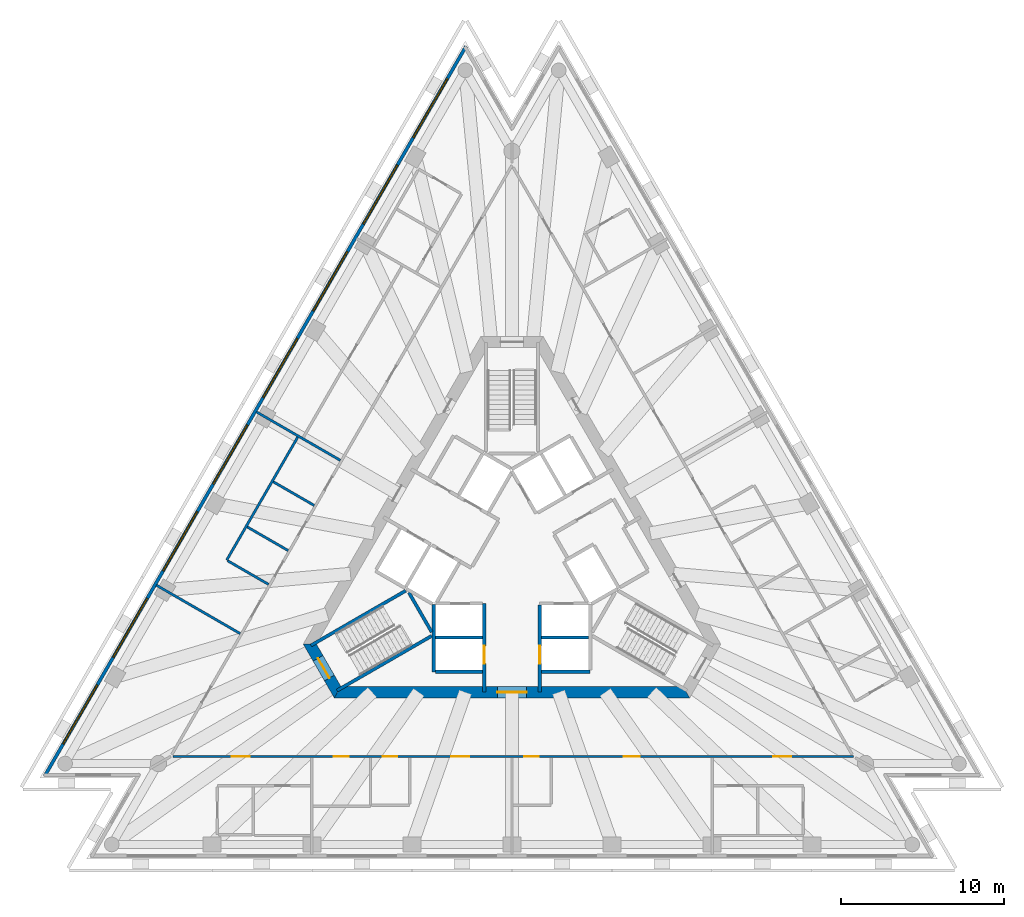
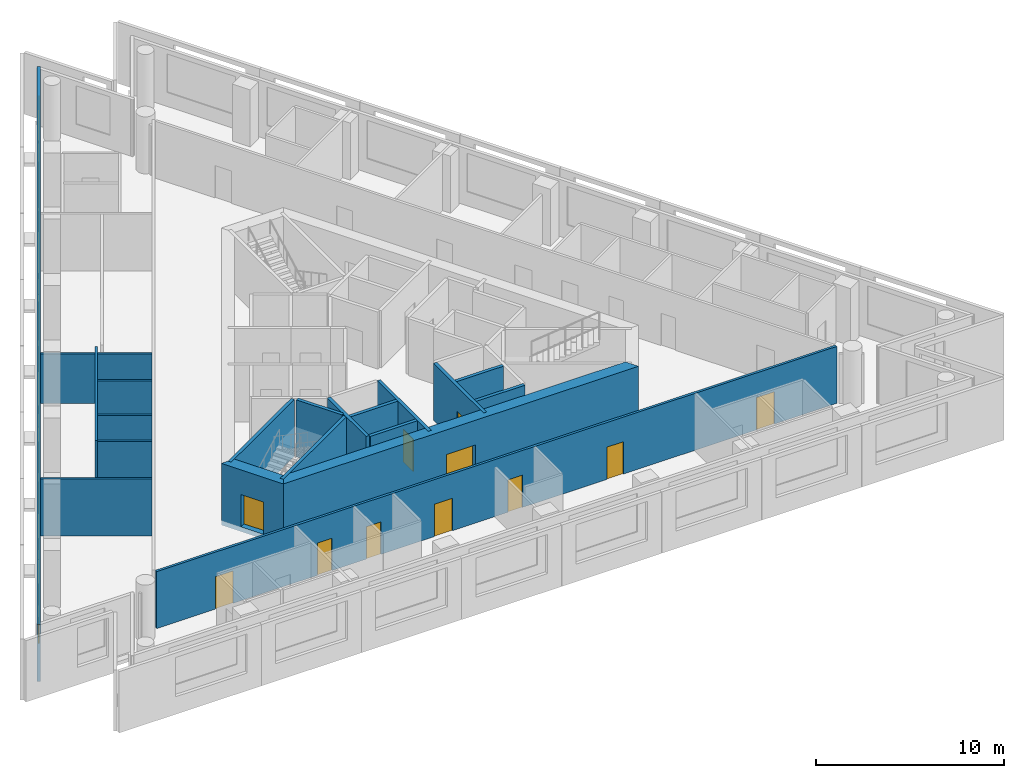
# One storey, part 3 of 9: 20 walls, 11 doors, 8 windows, 19 openings.
"""IFC4 building model written with IfcOpenShell, lengths in metres."""

from ifc_helpers import new_model, si_unit, direction, frame, frame_2d, origin, place, context, subcontext, project, spatial, polyline, rectangle, outline, extrude, material, layer, layer_set, layer_usage, type_object, element, fill, save


model = new_model("IFC4")

# Units and contexts
model_context = context("Model", 3, precision=1e-05, world=origin(), true_north=direction((0.0, 1.0)))
body_context = subcontext(model_context, "Body", "Model", "MODEL_VIEW")
ifc_project = project(units=[si_unit("LENGTHUNIT", "METRE"), si_unit("AREAUNIT", "SQUARE_METRE"), si_unit("VOLUMEUNIT", "CUBIC_METRE"), si_unit("PLANEANGLEUNIT", "RADIAN"), si_unit("MASSUNIT", "GRAM", prefix="KILO")], contexts=[model_context])

# Site, building, storey
site_placement = place(None, origin())
site = spatial("IfcSite", under=ifc_project, at=site_placement, CompositionType="ELEMENT")
building_placement = place(site_placement, origin())
building = spatial("IfcBuilding", under=site, at=building_placement, Name="Triada Interchange Tower", CompositionType="ELEMENT")
storey_placement = place(building_placement, frame((0.0, 0.0, 207.300048828125)))
storey = spatial("IfcBuildingStorey", under=building, at=storey_placement, Name="L48", CompositionType="ELEMENT", Elevation=207.300048828125)

# Walls
ifc_material_1 = material(Name="Concrete C30/37", Category="concrete")
ifc_layer_1 = layer(ifc_material_1, 0.199951171875)
ifc_layer_set_1 = layer_set([ifc_layer_1], Name="CORE WALL 200 EI 120")
wall_type_1 = type_object("IfcWallType", Name="CORE WALL 200 EI 120", PredefinedType="SOLIDWALL", material=ifc_layer_set_1)
for number, where, z_axis, x_axis, name in (
    (1, (-4.699951171875, -4.800048828125, 0.0), (0.0, 0.0, 1.0), (1.0, 0.0, 0.0), "Wall L47 55"),
    (2, (1.800048828125, -4.800048828125, 0.0), (0.0, 0.0, 1.0), (1.0, 0.0, 0.0), "Wall L47 56"),
):
    element("IfcWall", number, at=place(storey_placement, frame(where, z_axis=z_axis, x_axis=x_axis)), inside=storey, type_object=wall_type_1, Name=name, PredefinedType="SOLIDWALL", context=body_context, shape_type="SweptSolid", body=[
        extrude(rectangle(XDim=2.89990234375, YDim=0.199951171875, at=frame_2d((1.449951171875, 0.0))), origin(), (0.0, 0.0, 1.0), 3.699951171875),
    ])
wall_1_placement = place(storey_placement, frame((-4.800048828125, -6.89990234375, 0.0), z_axis=(0.0, 0.0, 1.0), x_axis=(0.0, 1.0, 0.0)))
element("IfcWall", 3, at=wall_1_placement, inside=storey, type_object=wall_type_1, Name="Wall L47 57", PredefinedType="SOLIDWALL", context=body_context, shape_type="SweptSolid", body=[
    extrude(rectangle(XDim=4.130859375, YDim=0.199951171875, at=frame_2d((2.0654296875, 0.0))), origin(), (0.0, 0.0, 1.0), 3.699951171875),
])
wall_2_placement = place(storey_placement, frame((-4.699951171875, -6.89990234375, 0.0), z_axis=(0.0, 0.0, 1.0), x_axis=(1.0, 0.0, 0.0)))
element("IfcWall", 4, at=wall_2_placement, inside=storey, type_object=wall_type_1, Name="Wall L47 58", PredefinedType="SOLIDWALL", context=body_context, shape_type="SweptSolid", body=[
    extrude(rectangle(XDim=2.89990234375, YDim=0.199951171875, at=frame_2d((1.449951171875, 0.0))), origin(), (0.0, 0.0, 1.0), 3.699951171875),
])
wall_3_placement = place(storey_placement, frame((1.800048828125, -6.89990234375, 0.0), z_axis=(0.0, 0.0, 1.0), x_axis=(1.0, 0.0, 0.0)))
element("IfcWall", 5, at=wall_3_placement, inside=storey, type_object=wall_type_1, Name="Wall L47 59", PredefinedType="SOLIDWALL", context=body_context, shape_type="SweptSolid", body=[
    extrude(rectangle(XDim=3.0, YDim=0.199951171875, at=frame_2d((1.5, 0.0))), origin(), (0.0, 0.0, 1.0), 3.699951171875),
])

# Wall, opening, door
wall_4_placement = place(storey_placement, frame((-1.699951171875, -8.1298828125, 0.0), z_axis=(0.0, 0.0, 1.0), x_axis=(0.0, 1.0, 0.0)))
wall_4 = element("IfcWall", 6, at=wall_4_placement, inside=storey, type_object=wall_type_1, Name="Wall L47 60", PredefinedType="SOLIDWALL", context=body_context, shape_type="SweptSolid", body=[
    extrude(rectangle(XDim=5.427001953125, YDim=0.199951171875, at=frame_2d((2.71337890625, 0.0))), origin(), (0.0, 0.0, 1.0), 3.699951171875),
])
opening_1_placement = place(wall_4_placement, frame((1.72998046875, 0.0, 0.0)))
opening_1 = element("IfcOpeningElement", 7, at=opening_1_placement, cuts=wall_4, Name="Opening LD-HR4", PredefinedType="OPENING", context=body_context, shape_type="SweptSolid", body=[
    extrude(rectangle(XDim=1.10009765625, YDim=2.10009765625, at=frame_2d((0.550048828125, 1.050048828125))), frame((0.0, 0.10986328125, 0.0), z_axis=(0.0, -1.0, 0.0), x_axis=(1.0, 0.0, 0.0)), (0.0, 0.0, 1.0), 0.219970703125),
])
ifc_material_2 = material(Name="Steel S235 door leaf", Category="steel")
door_type_1 = type_object("IfcDoorType", Name="LIFT LANDING DOOR 1100 EI 120", OperationType="SLIDING_TO_LEFT", PredefinedType="DOOR", material=ifc_material_2)
door_1_placement = place(opening_1_placement, origin())
door_1 = element("IfcDoor", 8, at=door_1_placement, inside=storey, type_object=door_type_1, Name="HR4 landing door L48", OperationType="SLIDING_TO_LEFT", OverallHeight=2.10009765625, OverallWidth=1.10009765625, PredefinedType="DOOR", context=body_context, shape_type="SweptSolid", body=[
    extrude(rectangle(XDim=1.10009765625, YDim=2.10009765625, at=frame_2d((0.550048828125, 1.050048828125))), frame((0.0, 0.02490234375, 0.0), z_axis=(0.0, -1.0, 0.0), x_axis=(1.0, 0.0, 0.0)), (0.0, 0.0, 1.0), 0.050048828125),
])
fill(opening_1, door_1)

wall_5_placement = place(storey_placement, frame((1.699951171875, -8.1298828125, 0.0), z_axis=(0.0, 0.0, 1.0), x_axis=(0.0, 1.0, 0.0)))
wall_5 = element("IfcWall", 9, at=wall_5_placement, inside=storey, type_object=wall_type_1, Name="Wall L47 67", PredefinedType="SOLIDWALL", context=body_context, shape_type="SweptSolid", body=[
    extrude(rectangle(XDim=5.326904296875, YDim=0.199951171875, at=frame_2d((2.66357421875, 0.0))), origin(), (0.0, 0.0, 1.0), 3.699951171875),
])
opening_2_placement = place(wall_5_placement, frame((1.72998046875, 0.0, 0.0)))
opening_2 = element("IfcOpeningElement", 10, at=opening_2_placement, cuts=wall_5, Name="Opening LD-HR2", PredefinedType="OPENING", context=body_context, shape_type="SweptSolid", body=[
    extrude(rectangle(XDim=1.10009765625, YDim=2.10009765625, at=frame_2d((0.550048828125, 1.050048828125))), frame((0.0, 0.10986328125, 0.0), z_axis=(0.0, -1.0, 0.0), x_axis=(1.0, 0.0, 0.0)), (0.0, 0.0, 1.0), 0.219970703125),
])
door_2_placement = place(opening_2_placement, origin())
door_2 = element("IfcDoor", 11, at=door_2_placement, inside=storey, type_object=door_type_1, Name="HR2 landing door L48", OperationType="SLIDING_TO_LEFT", OverallHeight=2.10009765625, OverallWidth=1.10009765625, PredefinedType="DOOR", context=body_context, shape_type="SweptSolid", body=[
    extrude(rectangle(XDim=1.10009765625, YDim=2.10009765625, at=frame_2d((0.550048828125, 1.050048828125))), frame((0.0, 0.02490234375, 0.0), z_axis=(0.0, -1.0, 0.0), x_axis=(1.0, 0.0, 0.0)), (0.0, 0.0, 1.0), 0.050048828125),
])
fill(opening_2, door_2)

# Walls
ifc_layer_2 = layer(ifc_material_1, 0.199951171875)
ifc_layer_set_2 = layer_set([ifc_layer_2], Name="CORE WALL 200 REI 240")
wall_type_2 = type_object("IfcWallType", Name="CORE WALL 200 REI 240", PredefinedType="SOLIDWALL", material=ifc_layer_set_2)
wall_6_placement = place(storey_placement, frame((-12.343994140625, -5.279052734375, 0.0), z_axis=(0.0, 0.0, 1.0), x_axis=(0.866046323291, 0.499963764601, 0.0)))
element("IfcWall", 12, at=wall_6_placement, inside=storey, type_object=wall_type_2, Name="Wall L47 96", PredefinedType="SOLIDWALL", context=body_context, shape_type="SweptSolid", body=[
    extrude(rectangle(XDim=6.71435546875, YDim=0.199951171875, at=frame_2d((3.357177734375, 0.0))), origin(), (0.0, 0.0, 1.0), 3.699951171875),
])
wall_7_placement = place(storey_placement, frame((-6.3291015625, -2.0380859375, 0.0), z_axis=(0.0, 0.0, 1.0), x_axis=(0.500200581029, -0.865909567298, 0.0)))
element("IfcWall", 13, at=wall_7_placement, inside=storey, type_object=wall_type_2, Name="Wall L47 97", PredefinedType="SOLIDWALL", context=body_context, shape_type="SweptSolid", body=[
    extrude(rectangle(XDim=2.799072265625, YDim=0.199951171875, at=frame_2d((1.3994140625, 0.0))), origin(), (0.0, 0.0, 1.0), 3.699951171875),
])
wall_8_placement = place(storey_placement, frame((-10.743896484375, -8.051025390625, 0.0), z_axis=(0.0, 0.0, 1.0), x_axis=(0.865983344943, 0.500072840975, 0.0)))
element("IfcWall", 14, at=wall_8_placement, inside=storey, type_object=wall_type_2, Name="Wall L47 98", PredefinedType="SOLIDWALL", context=body_context, shape_type="SweptSolid", body=[
    extrude(rectangle(XDim=6.71484375, YDim=0.199951171875, at=frame_2d((3.357421875, 0.0))), origin(), (0.0, 0.0, 1.0), 3.699951171875),
])

# Wall, opening, door
ifc_material_3 = material(Name="Concrete C50/60", Category="concrete")
ifc_layer_3 = layer(ifc_material_3, 0.699951171875)
ifc_layer_set_3 = layer_set([ifc_layer_3], Name="Core wall C 700")
wall_type_3 = type_object("IfcWallType", Name="Core wall C 700", PredefinedType="SHEAR", material=ifc_layer_set_3)
wall_9_placement = place(storey_placement, frame((-12.4130859375, -5.199951171875, -0.300048828125), z_axis=(0.0, 0.0, 1.0), x_axis=(0.49999337185, -0.866029230515, 0.0)))
wall_9 = element("IfcWall", 15, at=wall_9_placement, inside=storey, type_object=wall_type_3, Name="Core wall WC03 L48", PredefinedType="SHEAR", context=body_context, shape_type="SweptSolid", body=[
    extrude(outline(polyline([(-0.201904296875, -0.35009765625), (1.703125, -0.35009765625), (3.60791015625, -0.35009765625), (3.2041015625, 0.35009765625), (1.703125, 0.35009765625), (0.201904296875, 0.35009765625), (-0.201904296875, -0.35009765625)])), origin(), (0.0, 0.0, 1.0), 4.0),
])
opening_3_placement = place(wall_9_placement, frame((1.0029296875, 0.0, 0.300048828125)))
opening_3 = element("IfcOpeningElement", 16, at=opening_3_placement, cuts=wall_9, Name="Opening D47-45", PredefinedType="OPENING", context=body_context, shape_type="SweptSolid", body=[
    extrude(rectangle(XDim=1.39990234375, YDim=2.10009765625, at=frame_2d((0.699951171875, 1.050048828125))), frame((0.0, 0.360107421875, 0.0), z_axis=(0.0, -1.0, 0.0), x_axis=(1.0, 0.0, 0.0)), (0.0, 0.0, 1.0), 0.72021484375),
])
door_type_2 = type_object("IfcDoorType", Name="STAIR DOOR 1400 EI2 90-C5S200", OperationType="DOUBLE_DOOR_SINGLE_SWING", PredefinedType="DOOR", material=ifc_material_2)
door_3_placement = place(opening_3_placement, origin())
door_3 = element("IfcDoor", 17, at=door_3_placement, inside=storey, type_object=door_type_2, Name="Door D47-45 L48", OperationType="DOUBLE_DOOR_SINGLE_SWING", OverallHeight=2.10009765625, OverallWidth=1.39990234375, PredefinedType="DOOR", context=body_context, shape_type="SweptSolid", body=[
    extrude(rectangle(XDim=1.39990234375, YDim=2.10009765625, at=frame_2d((0.699951171875, 1.050048828125))), frame((0.0, 0.02490234375, 0.0), z_axis=(0.0, -1.0, 0.0), x_axis=(1.0, 0.0, 0.0)), (0.0, 0.0, 1.0), 0.050048828125),
])
fill(opening_3, door_3)

wall_10_placement = place(storey_placement, frame((-10.7099609375, -8.14990234375, -0.300048828125), z_axis=(0.0, 0.0, 1.0), x_axis=(1.0, 0.0, 0.0)))
wall_10 = element("IfcWall", 18, at=wall_10_placement, inside=storey, type_object=wall_type_3, Name="Core wall WC04 L48", PredefinedType="SHEAR", context=body_context, shape_type="SweptSolid", body=[
    extrude(outline(polyline([(-0.201904296875, -0.35009765625), (1.781982421875, -0.35009765625), (3.76611328125, -0.35009765625), (5.75, -0.35009765625), (7.734130859375, -0.35009765625), (9.718017578125, -0.35009765625), (11.7021484375, -0.35009765625), (13.68603515625, -0.35009765625), (15.670166015625, -0.35009765625), (17.654052734375, -0.35009765625), (19.63818359375, -0.35009765625), (21.6220703125, -0.35009765625), (21.218017578125, 0.35009765625), (19.307373046875, 0.35009765625), (17.39697265625, 0.35009765625), (15.486328125, 0.35009765625), (13.57568359375, 0.35009765625), (11.665283203125, 0.35009765625), (9.754638671875, 0.35009765625), (7.84423828125, 0.35009765625), (5.93359375, 0.35009765625), (4.02294921875, 0.35009765625), (2.112548828125, 0.35009765625), (0.201904296875, 0.35009765625), (-0.201904296875, -0.35009765625)])), origin(), (0.0, 0.0, 1.0), 4.0),
])
opening_4_placement = place(wall_10_placement, frame((9.81005859375, 0.0, 0.300048828125)))
opening_4 = element("IfcOpeningElement", 19, at=opening_4_placement, cuts=wall_10, Name="Opening D47-43", PredefinedType="OPENING", context=body_context, shape_type="SweptSolid", body=[
    extrude(rectangle(XDim=1.800048828125, YDim=2.10009765625, at=frame_2d((0.89990234375, 1.050048828125))), frame((0.0, 0.360107421875, 0.0), z_axis=(0.0, -1.0, 0.0), x_axis=(1.0, 0.0, 0.0)), (0.0, 0.0, 1.0), 0.72021484375),
])
door_type_3 = type_object("IfcDoorType", Name="LOBBY DOOR 1800 EI2 90-C5S200", OperationType="DOUBLE_DOOR_SINGLE_SWING", PredefinedType="DOOR", material=ifc_material_2)
door_4_placement = place(opening_4_placement, origin())
door_4 = element("IfcDoor", 20, at=door_4_placement, inside=storey, type_object=door_type_3, Name="Door D47-43 L48", OperationType="DOUBLE_DOOR_SINGLE_SWING", OverallHeight=2.10009765625, OverallWidth=1.800048828125, PredefinedType="DOOR", context=body_context, shape_type="SweptSolid", body=[
    extrude(rectangle(XDim=1.800048828125, YDim=2.10009765625, at=frame_2d((0.89990234375, 1.050048828125))), frame((0.0, 0.02490234375, 0.0), z_axis=(0.0, -1.0, 0.0), x_axis=(1.0, 0.0, 0.0)), (0.0, 0.0, 1.0), 0.050048828125),
])
fill(opening_4, door_4)

# Wall, openings, windows
ifc_material_4 = material(Name="Cement board")
ifc_layer_4 = layer(ifc_material_4, 0.02001953125, Name="Cement board cladding")
ifc_material_5 = material(Name="Sheathing board")
ifc_layer_5 = layer(ifc_material_5, 0.014892578125, Name="Sheathing board")
ifc_material_6 = material(Name="Mineral wool")
ifc_layer_6 = layer(ifc_material_6, 0.14990234375, Name="Mineral wool between steel studs")
ifc_material_7 = material(Name="Gypsum board")
ifc_layer_7 = layer(ifc_material_7, 0.014892578125, Name="Plasterboard lining")
ifc_layer_set_4 = layer_set([ifc_layer_4, ifc_layer_5, ifc_layer_6, ifc_layer_7], Name="External wall 200")
ifc_layer_usage = layer_usage(ifc_layer_set_4, "AXIS2", "POSITIVE", -0.10009765625)
wall_type_4 = type_object("IfcWallType", Name="External wall 200", PredefinedType="ELEMENTEDWALL", material=ifc_layer_set_4)
wall_11_placement = place(storey_placement, frame((-2.823974609375, 31.512939453125, 0.0), z_axis=(0.0, 0.0, 1.0), x_axis=(-0.500012324412, -0.866018288165, 0.0)))
wall_11 = element("IfcWall", 21, at=wall_11_placement, inside=storey, type_object=wall_type_4, material=ifc_layer_usage, Name="External wall L48 NW", PredefinedType="ELEMENTEDWALL", context=body_context, shape_type="SweptSolid", body=[
    extrude(rectangle(XDim=51.739013671875, YDim=0.199951171875, at=frame_2d((25.86962890625, 0.0))), origin(), (0.0, 0.0, 1.0), 3.699951171875),
])
opening_5_placement = place(wall_11_placement, frame((2.27490234375, 0.0, 0.89990234375)))
opening_5 = element("IfcOpeningElement", 22, at=opening_5_placement, cuts=wall_11, Name="Opening WC01", PredefinedType="OPENING", context=body_context, shape_type="SweptSolid", body=[
    extrude(rectangle(XDim=4.199951171875, YDim=2.5, at=frame_2d((2.10009765625, 1.25))), frame((0.0, 0.10986328125, 0.0), z_axis=(0.0, -1.0, 0.0), x_axis=(1.0, 0.0, 0.0)), (0.0, 0.0, 1.0), 0.219970703125),
])
opening_6_placement = place(wall_11_placement, frame((8.4189453125, 0.0, 0.89990234375)))
opening_6 = element("IfcOpeningElement", 23, at=opening_6_placement, cuts=wall_11, Name="Opening WC02", PredefinedType="OPENING", context=body_context, shape_type="SweptSolid", body=[
    extrude(rectangle(XDim=4.199951171875, YDim=2.5, at=frame_2d((2.10009765625, 1.25))), frame((0.0, 0.10986328125, 0.0), z_axis=(0.0, -1.0, 0.0), x_axis=(1.0, 0.0, 0.0)), (0.0, 0.0, 1.0), 0.219970703125),
])
opening_7_placement = place(wall_11_placement, frame((14.56298828125, 0.0, 0.89990234375)))
opening_7 = element("IfcOpeningElement", 24, at=opening_7_placement, cuts=wall_11, Name="Opening WC03", PredefinedType="OPENING", context=body_context, shape_type="SweptSolid", body=[
    extrude(rectangle(XDim=4.199951171875, YDim=2.5, at=frame_2d((2.10009765625, 1.25))), frame((0.0, 0.10986328125, 0.0), z_axis=(0.0, -1.0, 0.0), x_axis=(1.0, 0.0, 0.0)), (0.0, 0.0, 1.0), 0.219970703125),
])
opening_8_placement = place(wall_11_placement, frame((20.70703125, 0.0, 0.89990234375)))
opening_8 = element("IfcOpeningElement", 25, at=opening_8_placement, cuts=wall_11, Name="Opening WC04", PredefinedType="OPENING", context=body_context, shape_type="SweptSolid", body=[
    extrude(rectangle(XDim=4.199951171875, YDim=2.5, at=frame_2d((2.10009765625, 1.25))), frame((0.0, 0.10986328125, 0.0), z_axis=(0.0, -1.0, 0.0), x_axis=(1.0, 0.0, 0.0)), (0.0, 0.0, 1.0), 0.219970703125),
])
opening_9_placement = place(wall_11_placement, frame((26.85107421875, 0.0, 0.89990234375)))
opening_9 = element("IfcOpeningElement", 26, at=opening_9_placement, cuts=wall_11, Name="Opening WC05", PredefinedType="OPENING", context=body_context, shape_type="SweptSolid", body=[
    extrude(rectangle(XDim=4.199951171875, YDim=2.5, at=frame_2d((2.10009765625, 1.25))), frame((0.0, 0.10986328125, 0.0), z_axis=(0.0, -1.0, 0.0), x_axis=(1.0, 0.0, 0.0)), (0.0, 0.0, 1.0), 0.219970703125),
])
opening_10_placement = place(wall_11_placement, frame((32.9951171875, 0.0, 0.89990234375)))
opening_10 = element("IfcOpeningElement", 27, at=opening_10_placement, cuts=wall_11, Name="Opening WC06", PredefinedType="OPENING", context=body_context, shape_type="SweptSolid", body=[
    extrude(rectangle(XDim=4.199951171875, YDim=2.5, at=frame_2d((2.10009765625, 1.25))), frame((0.0, 0.10986328125, 0.0), z_axis=(0.0, -1.0, 0.0), x_axis=(1.0, 0.0, 0.0)), (0.0, 0.0, 1.0), 0.219970703125),
])
opening_11_placement = place(wall_11_placement, frame((39.139892578125, 0.0, 0.89990234375)))
opening_11 = element("IfcOpeningElement", 28, at=opening_11_placement, cuts=wall_11, Name="Opening WC07", PredefinedType="OPENING", context=body_context, shape_type="SweptSolid", body=[
    extrude(rectangle(XDim=4.199951171875, YDim=2.5, at=frame_2d((2.10009765625, 1.25))), frame((0.0, 0.10986328125, 0.0), z_axis=(0.0, -1.0, 0.0), x_axis=(1.0, 0.0, 0.0)), (0.0, 0.0, 1.0), 0.219970703125),
])
opening_12_placement = place(wall_11_placement, frame((45.283935546875, 0.0, 0.89990234375)))
opening_12 = element("IfcOpeningElement", 29, at=opening_12_placement, cuts=wall_11, Name="Opening WC08", PredefinedType="OPENING", context=body_context, shape_type="SweptSolid", body=[
    extrude(rectangle(XDim=4.199951171875, YDim=2.5, at=frame_2d((2.10009765625, 1.25))), frame((0.0, 0.10986328125, 0.0), z_axis=(0.0, -1.0, 0.0), x_axis=(1.0, 0.0, 0.0)), (0.0, 0.0, 1.0), 0.219970703125),
])
ifc_material_8 = material(Name="Double glazed aluminium window", Category="aluminium")
window_type = type_object("IfcWindowType", Name="Ribbon window C face", PartitioningType="SINGLE_PANEL", PredefinedType="WINDOW", material=ifc_material_8)
window_1_placement = place(opening_5_placement, origin())
window_1 = element("IfcWindow", 30, at=window_1_placement, inside=storey, type_object=window_type, Name="Window L48 NW 1", OverallHeight=2.5, OverallWidth=4.199951171875, PartitioningType="SINGLE_PANEL", PredefinedType="WINDOW", context=body_context, shape_type="SweptSolid", body=[
    extrude(rectangle(XDim=4.199951171875, YDim=2.5, at=frame_2d((2.10009765625, 1.25))), frame((0.0, 0.030029296875, 0.0), z_axis=(0.0, -1.0, 0.0), x_axis=(1.0, 0.0, 0.0)), (0.0, 0.0, 1.0), 0.06005859375),
])
fill(opening_5, window_1)
window_2_placement = place(opening_6_placement, origin())
window_2 = element("IfcWindow", 31, at=window_2_placement, inside=storey, type_object=window_type, Name="Window L48 NW 2", OverallHeight=2.5, OverallWidth=4.199951171875, PartitioningType="SINGLE_PANEL", PredefinedType="WINDOW", context=body_context, shape_type="SweptSolid", body=[
    extrude(rectangle(XDim=4.199951171875, YDim=2.5, at=frame_2d((2.10009765625, 1.25))), frame((0.0, 0.030029296875, 0.0), z_axis=(0.0, -1.0, 0.0), x_axis=(1.0, 0.0, 0.0)), (0.0, 0.0, 1.0), 0.06005859375),
])
fill(opening_6, window_2)
window_3_placement = place(opening_7_placement, origin())
window_3 = element("IfcWindow", 32, at=window_3_placement, inside=storey, type_object=window_type, Name="Window L48 NW 3", OverallHeight=2.5, OverallWidth=4.199951171875, PartitioningType="SINGLE_PANEL", PredefinedType="WINDOW", context=body_context, shape_type="SweptSolid", body=[
    extrude(rectangle(XDim=4.199951171875, YDim=2.5, at=frame_2d((2.10009765625, 1.25))), frame((0.0, 0.030029296875, 0.0), z_axis=(0.0, -1.0, 0.0), x_axis=(1.0, 0.0, 0.0)), (0.0, 0.0, 1.0), 0.06005859375),
])
fill(opening_7, window_3)
window_4_placement = place(opening_8_placement, origin())
window_4 = element("IfcWindow", 33, at=window_4_placement, inside=storey, type_object=window_type, Name="Window L48 NW 4", OverallHeight=2.5, OverallWidth=4.199951171875, PartitioningType="SINGLE_PANEL", PredefinedType="WINDOW", context=body_context, shape_type="SweptSolid", body=[
    extrude(rectangle(XDim=4.199951171875, YDim=2.5, at=frame_2d((2.10009765625, 1.25))), frame((0.0, 0.030029296875, 0.0), z_axis=(0.0, -1.0, 0.0), x_axis=(1.0, 0.0, 0.0)), (0.0, 0.0, 1.0), 0.06005859375),
])
fill(opening_8, window_4)
window_5_placement = place(opening_9_placement, origin())
window_5 = element("IfcWindow", 34, at=window_5_placement, inside=storey, type_object=window_type, Name="Window L48 NW 5", OverallHeight=2.5, OverallWidth=4.199951171875, PartitioningType="SINGLE_PANEL", PredefinedType="WINDOW", context=body_context, shape_type="SweptSolid", body=[
    extrude(rectangle(XDim=4.199951171875, YDim=2.5, at=frame_2d((2.10009765625, 1.25))), frame((0.0, 0.030029296875, 0.0), z_axis=(0.0, -1.0, 0.0), x_axis=(1.0, 0.0, 0.0)), (0.0, 0.0, 1.0), 0.06005859375),
])
fill(opening_9, window_5)
window_6_placement = place(opening_10_placement, origin())
window_6 = element("IfcWindow", 35, at=window_6_placement, inside=storey, type_object=window_type, Name="Window L48 NW 6", OverallHeight=2.5, OverallWidth=4.199951171875, PartitioningType="SINGLE_PANEL", PredefinedType="WINDOW", context=body_context, shape_type="SweptSolid", body=[
    extrude(rectangle(XDim=4.199951171875, YDim=2.5, at=frame_2d((2.10009765625, 1.25))), frame((0.0, 0.030029296875, 0.0), z_axis=(0.0, -1.0, 0.0), x_axis=(1.0, 0.0, 0.0)), (0.0, 0.0, 1.0), 0.06005859375),
])
fill(opening_10, window_6)
window_7_placement = place(opening_11_placement, origin())
window_7 = element("IfcWindow", 36, at=window_7_placement, inside=storey, type_object=window_type, Name="Window L48 NW 7", OverallHeight=2.5, OverallWidth=4.199951171875, PartitioningType="SINGLE_PANEL", PredefinedType="WINDOW", context=body_context, shape_type="SweptSolid", body=[
    extrude(rectangle(XDim=4.199951171875, YDim=2.5, at=frame_2d((2.10009765625, 1.25))), frame((0.0, 0.030029296875, 0.0), z_axis=(0.0, -1.0, 0.0), x_axis=(1.0, 0.0, 0.0)), (0.0, 0.0, 1.0), 0.06005859375),
])
fill(opening_11, window_7)
window_8_placement = place(opening_12_placement, origin())
window_8 = element("IfcWindow", 37, at=window_8_placement, inside=storey, type_object=window_type, Name="Window L48 NW 8", OverallHeight=2.5, OverallWidth=4.199951171875, PartitioningType="SINGLE_PANEL", PredefinedType="WINDOW", context=body_context, shape_type="SweptSolid", body=[
    extrude(rectangle(XDim=4.199951171875, YDim=2.5, at=frame_2d((2.10009765625, 1.25))), frame((0.0, 0.030029296875, 0.0), z_axis=(0.0, -1.0, 0.0), x_axis=(1.0, 0.0, 0.0)), (0.0, 0.0, 1.0), 0.06005859375),
])
fill(opening_12, window_8)

# Wall
ifc_material_9 = material(Name="Gypsum board partition")
ifc_layer_8 = layer(ifc_material_9, 0.14990234375)
ifc_layer_set_5 = layer_set([ifc_layer_8], Name="PARTITION 150 EI 180")
wall_type_5 = type_object("IfcWallType", Name="PARTITION 150 EI 180", PredefinedType="PARTITIONING", material=ifc_layer_set_5)
wall_12_placement = place(storey_placement, frame((-21.839111328125, -1.5810546875, 0.0), z_axis=(0.0, 0.0, 1.0), x_axis=(0.866034527326, -0.49998419723, 0.0)))
element("IfcWall", 38, at=wall_12_placement, inside=storey, type_object=wall_type_5, Name="Wall L47 3", PredefinedType="PARTITIONING", context=body_context, shape_type="SweptSolid", body=[
    extrude(rectangle(XDim=5.947998046875, YDim=0.14990234375, at=frame_2d((2.97412109375, 0.0))), origin(), (0.0, 0.0, 1.0), 3.699951171875),
])

# Wall, openings, doors
wall_13_placement = place(storey_placement, frame((-20.80810546875, -12.10009765625, 0.0), z_axis=(0.0, 0.0, 1.0), x_axis=(1.0, 0.0, 0.0)))
wall_13 = element("IfcWall", 39, at=wall_13_placement, inside=storey, type_object=wall_type_5, Name="Wall L47 5", PredefinedType="PARTITIONING", context=body_context, shape_type="SweptSolid", body=[
    extrude(rectangle(XDim=41.76611328125, YDim=0.14990234375, at=frame_2d((20.883056640625, 0.0))), origin(), (0.0, 0.0, 1.0), 3.699951171875),
])
opening_13_placement = place(wall_13_placement, frame((3.60009765625, 0.0, 0.0)))
opening_13 = element("IfcOpeningElement", 40, at=opening_13_placement, cuts=wall_13, Name="Opening D47-11", PredefinedType="OPENING", context=body_context, shape_type="SweptSolid", body=[
    extrude(rectangle(XDim=1.10009765625, YDim=2.10009765625, at=frame_2d((0.550048828125, 1.050048828125))), frame((0.0, 0.0849609375, 0.0), z_axis=(0.0, -1.0, 0.0), x_axis=(1.0, 0.0, 0.0)), (0.0, 0.0, 1.0), 0.169921875),
])
opening_14_placement = place(wall_13_placement, frame((17.070068359375, 0.0, 0.0)))
opening_14 = element("IfcOpeningElement", 41, at=opening_14_placement, cuts=wall_13, Name="Opening D47-14", PredefinedType="OPENING", context=body_context, shape_type="SweptSolid", body=[
    extrude(rectangle(XDim=1.10009765625, YDim=2.10009765625, at=frame_2d((0.550048828125, 1.050048828125))), frame((0.0, 0.0849609375, 0.0), z_axis=(0.0, -1.0, 0.0), x_axis=(1.0, 0.0, 0.0)), (0.0, 0.0, 1.0), 0.169921875),
])
opening_15_placement = place(wall_13_placement, frame((9.8701171875, 0.0, 0.0)))
opening_15 = element("IfcOpeningElement", 42, at=opening_15_placement, cuts=wall_13, Name="Opening D47-15", PredefinedType="OPENING", context=body_context, shape_type="SweptSolid", body=[
    extrude(rectangle(XDim=0.89990234375, YDim=2.10009765625, at=frame_2d((0.449951171875, 1.050048828125))), frame((0.0, 0.0849609375, 0.0), z_axis=(0.0, -1.0, 0.0), x_axis=(1.0, 0.0, 0.0)), (0.0, 0.0, 1.0), 0.169921875),
])
opening_16_placement = place(wall_13_placement, frame((12.8701171875, 0.0, 0.0)))
opening_16 = element("IfcOpeningElement", 43, at=opening_16_placement, cuts=wall_13, Name="Opening D47-16", PredefinedType="OPENING", context=body_context, shape_type="SweptSolid", body=[
    extrude(rectangle(XDim=0.89990234375, YDim=2.10009765625, at=frame_2d((0.449951171875, 1.050048828125))), frame((0.0, 0.0849609375, 0.0), z_axis=(0.0, -1.0, 0.0), x_axis=(1.0, 0.0, 0.0)), (0.0, 0.0, 1.0), 0.169921875),
])
opening_17_placement = place(wall_13_placement, frame((27.657958984375, 0.0, 0.0)))
opening_17 = element("IfcOpeningElement", 44, at=opening_17_placement, cuts=wall_13, Name="Opening D47-17", PredefinedType="OPENING", context=body_context, shape_type="SweptSolid", body=[
    extrude(rectangle(XDim=1.0, YDim=2.10009765625, at=frame_2d((0.5, 1.050048828125))), frame((0.0, 0.0849609375, 0.0), z_axis=(0.0, -1.0, 0.0), x_axis=(1.0, 0.0, 0.0)), (0.0, 0.0, 1.0), 0.169921875),
])
opening_18_placement = place(wall_13_placement, frame((21.55810546875, 0.0, 0.0)))
opening_18 = element("IfcOpeningElement", 45, at=opening_18_placement, cuts=wall_13, Name="Opening D47-18", PredefinedType="OPENING", context=body_context, shape_type="SweptSolid", body=[
    extrude(rectangle(XDim=0.89990234375, YDim=2.10009765625, at=frame_2d((0.449951171875, 1.050048828125))), frame((0.0, 0.0849609375, 0.0), z_axis=(0.0, -1.0, 0.0), x_axis=(1.0, 0.0, 0.0)), (0.0, 0.0, 1.0), 0.169921875),
])
opening_19_placement = place(wall_13_placement, frame((36.846923828125, 0.0, 0.0)))
opening_19 = element("IfcOpeningElement", 46, at=opening_19_placement, cuts=wall_13, Name="Opening D47-19", PredefinedType="OPENING", context=body_context, shape_type="SweptSolid", body=[
    extrude(rectangle(XDim=1.10009765625, YDim=2.10009765625, at=frame_2d((0.550048828125, 1.050048828125))), frame((0.0, 0.0849609375, 0.0), z_axis=(0.0, -1.0, 0.0), x_axis=(1.0, 0.0, 0.0)), (0.0, 0.0, 1.0), 0.169921875),
])
door_type_4 = type_object("IfcDoorType", Name="ROOM DOOR 1000 EI2 90-C5S200", OperationType="NOTDEFINED", PredefinedType="DOOR", material=ifc_material_2)
door_5_placement = place(opening_17_placement, origin())
door_5 = element("IfcDoor", 47, at=door_5_placement, inside=storey, type_object=door_type_4, Name="Door D47-17 L48", OperationType="SINGLE_SWING_RIGHT", OverallHeight=2.10009765625, OverallWidth=1.0, PredefinedType="DOOR", context=body_context, shape_type="SweptSolid", body=[
    extrude(rectangle(XDim=1.0, YDim=2.10009765625, at=frame_2d((0.5, 1.050048828125))), frame((0.0, 0.02490234375, 0.0), z_axis=(0.0, -1.0, 0.0), x_axis=(1.0, 0.0, 0.0)), (0.0, 0.0, 1.0), 0.050048828125),
])
fill(opening_17, door_5)
door_type_5 = type_object("IfcDoorType", Name="ROOM DOOR 900 EI2 90-C5S200", OperationType="NOTDEFINED", PredefinedType="DOOR", material=ifc_material_2)
door_6_placement = place(opening_15_placement, origin())
door_6 = element("IfcDoor", 48, at=door_6_placement, inside=storey, type_object=door_type_5, Name="Door D47-15 L48", OperationType="SINGLE_SWING_RIGHT", OverallHeight=2.10009765625, OverallWidth=0.89990234375, PredefinedType="DOOR", context=body_context, shape_type="SweptSolid", body=[
    extrude(rectangle(XDim=0.89990234375, YDim=2.10009765625, at=frame_2d((0.449951171875, 1.050048828125))), frame((0.0, 0.02490234375, 0.0), z_axis=(0.0, -1.0, 0.0), x_axis=(1.0, 0.0, 0.0)), (0.0, 0.0, 1.0), 0.050048828125),
])
fill(opening_15, door_6)
door_7_placement = place(opening_16_placement, origin())
door_7 = element("IfcDoor", 49, at=door_7_placement, inside=storey, type_object=door_type_5, Name="Door D47-16 L48", OperationType="SINGLE_SWING_RIGHT", OverallHeight=2.10009765625, OverallWidth=0.89990234375, PredefinedType="DOOR", context=body_context, shape_type="SweptSolid", body=[
    extrude(rectangle(XDim=0.89990234375, YDim=2.10009765625, at=frame_2d((0.449951171875, 1.050048828125))), frame((0.0, 0.02490234375, 0.0), z_axis=(0.0, -1.0, 0.0), x_axis=(1.0, 0.0, 0.0)), (0.0, 0.0, 1.0), 0.050048828125),
])
fill(opening_16, door_7)
door_type_6 = type_object("IfcDoorType", Name="SERVICE DOOR 900 EI2 90-C5S200", OperationType="NOTDEFINED", PredefinedType="DOOR", material=ifc_material_2)
door_8_placement = place(opening_18_placement, origin())
door_8 = element("IfcDoor", 50, at=door_8_placement, inside=storey, type_object=door_type_6, Name="Door D47-18 L48", OperationType="SINGLE_SWING_RIGHT", OverallHeight=2.10009765625, OverallWidth=0.89990234375, PredefinedType="DOOR", context=body_context, shape_type="SweptSolid", body=[
    extrude(rectangle(XDim=0.89990234375, YDim=2.10009765625, at=frame_2d((0.449951171875, 1.050048828125))), frame((0.0, 0.02490234375, 0.0), z_axis=(0.0, -1.0, 0.0), x_axis=(1.0, 0.0, 0.0)), (0.0, 0.0, 1.0), 0.050048828125),
])
fill(opening_18, door_8)
door_type_7 = type_object("IfcDoorType", Name="TENANCY ENTRANCE DOOR 1100 EI2 90-C5S200", OperationType="NOTDEFINED", PredefinedType="DOOR", material=ifc_material_2)
door_9_placement = place(opening_13_placement, origin())
door_9 = element("IfcDoor", 51, at=door_9_placement, inside=storey, type_object=door_type_7, Name="Door D47-11 L48", OperationType="SINGLE_SWING_RIGHT", OverallHeight=2.10009765625, OverallWidth=1.10009765625, PredefinedType="DOOR", context=body_context, shape_type="SweptSolid", body=[
    extrude(rectangle(XDim=1.10009765625, YDim=2.10009765625, at=frame_2d((0.550048828125, 1.050048828125))), frame((0.0, 0.02490234375, 0.0), z_axis=(0.0, -1.0, 0.0), x_axis=(1.0, 0.0, 0.0)), (0.0, 0.0, 1.0), 0.050048828125),
])
fill(opening_13, door_9)
door_10_placement = place(opening_14_placement, origin())
door_10 = element("IfcDoor", 52, at=door_10_placement, inside=storey, type_object=door_type_7, Name="Door D47-14 L48", OperationType="SINGLE_SWING_LEFT", OverallHeight=2.10009765625, OverallWidth=1.10009765625, PredefinedType="DOOR", context=body_context, shape_type="SweptSolid", body=[
    extrude(rectangle(XDim=1.10009765625, YDim=2.10009765625, at=frame_2d((0.550048828125, 1.050048828125))), frame((0.0, 0.02490234375, 0.0), z_axis=(0.0, -1.0, 0.0), x_axis=(1.0, 0.0, 0.0)), (0.0, 0.0, 1.0), 0.050048828125),
])
fill(opening_14, door_10)
door_11_placement = place(opening_19_placement, origin())
door_11 = element("IfcDoor", 53, at=door_11_placement, inside=storey, type_object=door_type_7, Name="Door D47-19 L48", OperationType="SINGLE_SWING_LEFT", OverallHeight=2.10009765625, OverallWidth=1.10009765625, PredefinedType="DOOR", context=body_context, shape_type="SweptSolid", body=[
    extrude(rectangle(XDim=1.10009765625, YDim=2.10009765625, at=frame_2d((0.550048828125, 1.050048828125))), frame((0.0, 0.02490234375, 0.0), z_axis=(0.0, -1.0, 0.0), x_axis=(1.0, 0.0, 0.0)), (0.0, 0.0, 1.0), 0.050048828125),
])
fill(opening_19, door_11)

# Walls
wall_14_placement = place(storey_placement, frame((-17.52099609375, -0.0458984375, 0.0), z_axis=(0.0, 0.0, 1.0), x_axis=(0.499970334739, 0.866042530354, 0.0)))
element("IfcWall", 54, at=wall_14_placement, inside=storey, type_object=wall_type_5, Name="Wall L47 6", PredefinedType="PARTITIONING", context=body_context, shape_type="SweptSolid", body=[
    extrude(rectangle(XDim=8.724609375, YDim=0.14990234375, at=frame_2d((4.3623046875, 0.0))), origin(), (0.0, 0.0, 1.0), 3.699951171875),
])
wall_15_placement = place(storey_placement, frame((-17.4560546875, -0.0830078125, 0.0), z_axis=(0.0, 0.0, 1.0), x_axis=(0.865929066901, -0.500166823267, 0.0)))
element("IfcWall", 55, at=wall_15_placement, inside=storey, type_object=wall_type_5, Name="Wall L47 7", PredefinedType="PARTITIONING", context=body_context, shape_type="SweptSolid", body=[
    extrude(rectangle(XDim=2.90087890625, YDim=0.14990234375, at=frame_2d((1.450439453125, 0.0))), origin(), (0.0, 0.0, 1.0), 3.699951171875),
])
wall_16_placement = place(storey_placement, frame((-16.256103515625, 1.9951171875, 0.0), z_axis=(0.0, 0.0, 1.0), x_axis=(0.866059450854, -0.499941024108, 0.0)))
element("IfcWall", 56, at=wall_16_placement, inside=storey, type_object=wall_type_5, Name="Wall L47 8", PredefinedType="PARTITIONING", context=body_context, shape_type="SweptSolid", body=[
    extrude(rectangle(XDim=2.900634765625, YDim=0.14990234375, at=frame_2d((1.4501953125, 0.0))), origin(), (0.0, 0.0, 1.0), 3.699951171875),
])
wall_17_placement = place(storey_placement, frame((-15.695068359375, 9.06103515625, 0.0), z_axis=(0.0, 0.0, 1.0), x_axis=(0.866016753976, -0.500014981608, 0.0)))
element("IfcWall", 57, at=wall_17_placement, inside=storey, type_object=wall_type_5, Name="Wall L47 9", PredefinedType="PARTITIONING", context=body_context, shape_type="SweptSolid", body=[
    extrude(rectangle(XDim=5.947998046875, YDim=0.14990234375, at=frame_2d((2.97412109375, 0.0))), origin(), (0.0, 0.0, 1.0), 3.199951171875),
])
wall_18_placement = place(storey_placement, frame((-14.656005859375, 4.76611328125, 0.0), z_axis=(0.0, 0.0, 1.0), x_axis=(0.866038412228, -0.499977468037, 0.0)))
element("IfcWall", 58, at=wall_18_placement, inside=storey, type_object=wall_type_5, Name="Wall L47 11", PredefinedType="PARTITIONING", context=body_context, shape_type="SweptSolid", body=[
    extrude(rectangle(XDim=2.900634765625, YDim=0.14990234375, at=frame_2d((1.4501953125, 0.0))), origin(), (0.0, 0.0, 1.0), 3.699951171875),
])

save(model, "model.ifc")
